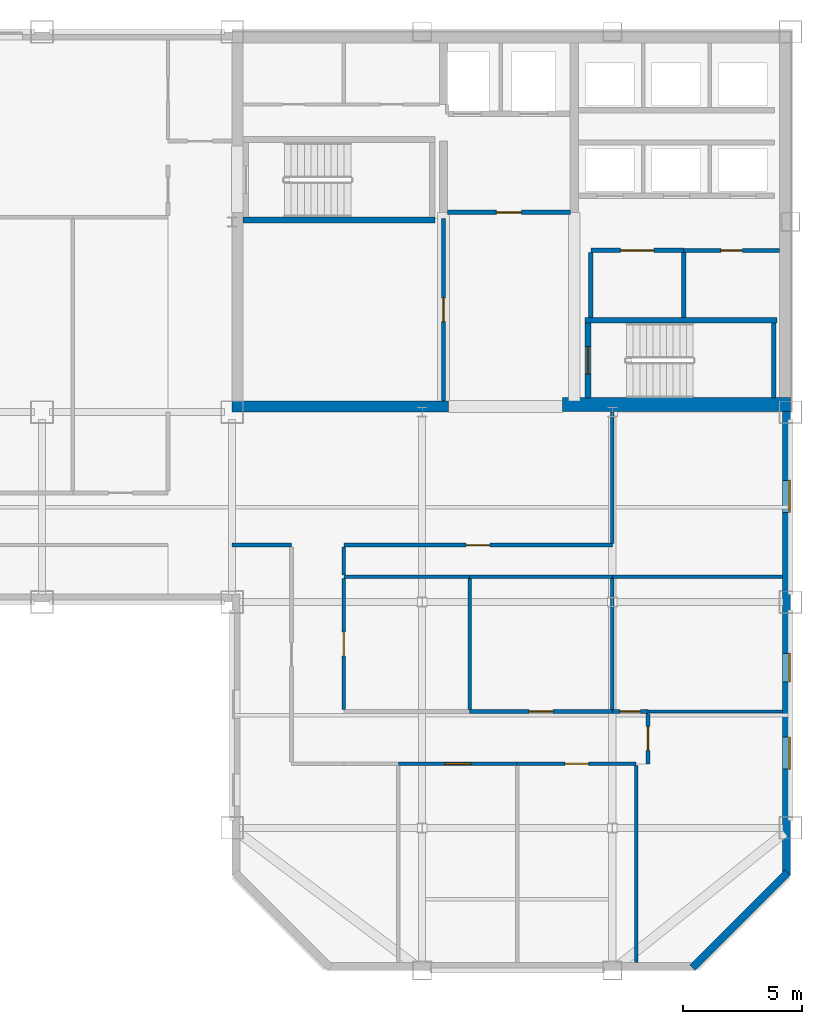
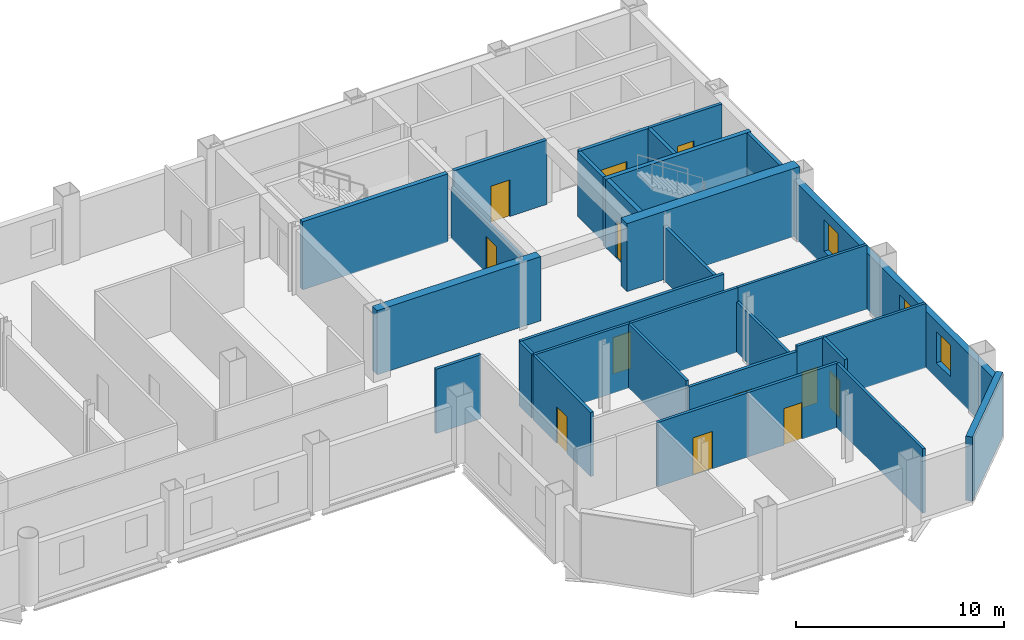
# One storey, part 5 of 11: 31 walls, 12 doors, 3 windows, 15 openings.
"""IFC4 building model written with IfcOpenShell, lengths in metres."""

from ifc_helpers import new_model, si_unit, direction, frame, frame_2d, origin, place, context, subcontext, project, spatial, rectangle, extrude, material, layer, layer_set, type_object, element, fill, save


model = new_model("IFC4")

# Units and contexts
model_context = context("Model", 3, precision=1e-05, world=origin(), true_north=direction((0.0, 1.0)))
body_context = subcontext(model_context, "Body", "Model", "MODEL_VIEW")
ifc_project = project(units=[si_unit("LENGTHUNIT", "METRE"), si_unit("AREAUNIT", "SQUARE_METRE"), si_unit("VOLUMEUNIT", "CUBIC_METRE"), si_unit("PLANEANGLEUNIT", "RADIAN"), si_unit("MASSUNIT", "GRAM", prefix="KILO")], contexts=[model_context])

# Site, building, storey
site_placement = place(None, origin())
site = spatial("IfcSite", under=ifc_project, at=site_placement, CompositionType="ELEMENT")
building_placement = place(site_placement, origin())
building = spatial("IfcBuilding", under=site, at=building_placement, Name="Qianrong Seaharbour Tower", CompositionType="ELEMENT")
storey_placement = place(building_placement, frame((0.0, 0.0, 265.800048828125)))
storey = spatial("IfcBuildingStorey", under=building, at=storey_placement, Name="L64", CompositionType="ELEMENT", Elevation=265.800048828125)

# Walls
ifc_material_1 = material(Name="Concrete C60/75", Category="concrete")
ifc_layer_1 = layer(ifc_material_1, 0.4599609375)
ifc_layer_set_1 = layer_set([ifc_layer_1], Name="Concrete C60/75")
wall_type_1 = type_object("IfcWallType", Name="WALL-CORE-460", PredefinedType="SHEAR", material=ifc_layer_set_1)
wall_1_placement = place(storey_placement, frame((40.5, 36.22998046875, 0.0), z_axis=(0.0, 0.0, 1.0), x_axis=(1.0, 0.0, 0.0)))
element("IfcWall", 1, at=wall_1_placement, inside=storey, type_object=wall_type_1, Name="L64 South Core Shear Wall S1", PredefinedType="SHEAR", context=body_context, shape_type="SweptSolid", body=[
    extrude(rectangle(XDim=9.10009765625, YDim=0.4599609375, at=frame_2d((4.550048828125, 0.0))), origin(), (0.0, 0.0, 1.0), 3.77490234375),
])
ifc_material_2 = material(Name="Concrete C70/85", Category="concrete")
ifc_layer_2 = layer(ifc_material_2, 0.580078125)
ifc_layer_set_2 = layer_set([ifc_layer_2], Name="Concrete C70/85")
wall_type_2 = type_object("IfcWallType", Name="WALL-CORE-580", PredefinedType="SHEAR", material=ifc_layer_set_2)
wall_2_placement = place(storey_placement, frame((54.39990234375, 36.320068359375, 0.0), z_axis=(0.0, 0.0, 1.0), x_axis=(1.0, 0.0, 0.0)))
element("IfcWall", 2, at=wall_2_placement, inside=storey, type_object=wall_type_2, Name="L64 South Core Shear Wall S3", PredefinedType="SHEAR", context=body_context, shape_type="SweptSolid", body=[
    extrude(rectangle(XDim=9.60009765625, YDim=0.580078125, at=frame_2d((4.800048828125, 0.0))), origin(), (0.0, 0.0, 1.0), 4.0),
])

# Wall, opening, door
ifc_material_3 = material(Name="Fire-rated acoustic gypsum board partition")
ifc_layer_3 = layer(ifc_material_3, 0.1650390625)
ifc_layer_set_3 = layer_set([ifc_layer_3], Name="Fire-rated acoustic gypsum board partition")
wall_type_3 = type_object("IfcWallType", Name="WALL-CORR-PART-165", PredefinedType="PARTITIONING", material=ifc_layer_set_3)
wall_3_placement = place(storey_placement, frame((49.39990234375, 36.4599609375, 0.0), z_axis=(0.0, 0.0, 1.0), x_axis=(0.0, 1.0, 0.0)))
wall_3 = element("IfcWall", 3, at=wall_3_placement, inside=storey, type_object=wall_type_3, Name="L64 Interior Partition Wall 007", PredefinedType="PARTITIONING", context=body_context, shape_type="SweptSolid", body=[
    extrude(rectangle(XDim=7.68994140625, YDim=0.1650390625, at=frame_2d((3.844970703125, 0.0))), origin(), (0.0, 0.0, 1.0), 3.016845703125),
])
opening_1_placement = place(wall_3_placement, frame((3.344970703125, 0.0, 0.0)))
opening_1 = element("IfcOpeningElement", 4, at=opening_1_placement, cuts=wall_3, Name="Opening DO-01", PredefinedType="OPENING", context=body_context, shape_type="SweptSolid", body=[
    extrude(rectangle(XDim=1.0, YDim=2.14990234375, at=frame_2d((0.5, 1.074951171875))), frame((0.0, 0.092529296875, 0.0), z_axis=(0.0, -1.0, 0.0), x_axis=(1.0, 0.0, 0.0)), (0.0, 0.0, 1.0), 0.18505859375),
])
ifc_material_4 = material(Name="Acoustic timber and galvanized steel fire door assembly", Category="steel")
door_type_1 = type_object("IfcDoorType", Name="DOOR-OFFICE-1000x2150", OperationType="NOTDEFINED", PredefinedType="DOOR", material=ifc_material_4)
door_1_placement = place(opening_1_placement, origin())
door_1 = element("IfcDoor", 5, at=door_1_placement, inside=storey, type_object=door_type_1, Name="L64 Data Systems Office Door", OperationType="SINGLE_SWING_RIGHT", OverallHeight=2.14990234375, OverallWidth=1.0, PredefinedType="DOOR", context=body_context, shape_type="SweptSolid", body=[
    extrude(rectangle(XDim=1.0, YDim=2.14990234375, at=frame_2d((0.5, 1.074951171875))), frame((0.0, 0.02490234375, 0.0), z_axis=(0.0, -1.0, 0.0), x_axis=(1.0, 0.0, 0.0)), (0.0, 0.0, 1.0), 0.050048828125),
])
fill(opening_1, door_1)

wall_4_placement = place(storey_placement, frame((63.5400390625, 42.800048828125, 0.0), z_axis=(0.0, 0.0, 1.0), x_axis=(-1.0, 0.0, 0.0)))
wall_4 = element("IfcWall", 6, at=wall_4_placement, inside=storey, type_object=wall_type_3, Name="L64 Interior Partition Wall 010", PredefinedType="PARTITIONING", context=body_context, shape_type="SweptSolid", body=[
    extrude(rectangle(XDim=4.0400390625, YDim=0.1650390625, at=frame_2d((2.02001953125, 0.0))), origin(), (0.0, 0.0, 1.0), 3.77490234375),
])
opening_2_placement = place(wall_4_placement, frame((1.570068359375, 0.0, 0.0)))
opening_2 = element("IfcOpeningElement", 7, at=opening_2_placement, cuts=wall_4, Name="Opening DS-01", PredefinedType="OPENING", context=body_context, shape_type="SweptSolid", body=[
    extrude(rectangle(XDim=0.89990234375, YDim=2.14990234375, at=frame_2d((0.449951171875, 1.074951171875))), frame((0.0, 0.092529296875, 0.0), z_axis=(0.0, -1.0, 0.0), x_axis=(1.0, 0.0, 0.0)), (0.0, 0.0, 1.0), 0.18505859375),
])
door_type_2 = type_object("IfcDoorType", Name="DOOR-STORE-900x2150", OperationType="NOTDEFINED", PredefinedType="DOOR", material=ifc_material_4)
door_2_placement = place(opening_2_placement, origin())
door_2 = element("IfcDoor", 8, at=door_2_placement, inside=storey, type_object=door_type_2, Name="L64 Cleaner Store Room Door", OperationType="SINGLE_SWING_LEFT", OverallHeight=2.14990234375, OverallWidth=0.89990234375, PredefinedType="DOOR", context=body_context, shape_type="SweptSolid", body=[
    extrude(rectangle(XDim=0.89990234375, YDim=2.14990234375, at=frame_2d((0.449951171875, 1.074951171875))), frame((0.0, 0.02490234375, 0.0), z_axis=(0.0, -1.0, 0.0), x_axis=(1.0, 0.0, 0.0)), (0.0, 0.0, 1.0), 0.050048828125),
])
fill(opening_2, door_2)

# Wall
wall_5_placement = place(storey_placement, frame((56.5, 36.0, 0.0), z_axis=(0.0, 0.0, 1.0), x_axis=(0.0, -1.0, 0.0)))
element("IfcWall", 9, at=wall_5_placement, inside=storey, type_object=wall_type_3, Name="L64 Interior Partition Wall 024", PredefinedType="PARTITIONING", context=body_context, shape_type="SweptSolid", body=[
    extrude(rectangle(XDim=5.525390625, YDim=0.1650390625, at=frame_2d((2.7626953125, 0.0))), origin(), (0.0, 0.0, 1.0), 3.178955078125),
])

# Wall, opening, door
wall_6_placement = place(storey_placement, frame((56.5, 30.39990234375, 0.0), z_axis=(0.0, 0.0, 1.0), x_axis=(-1.0, 0.0, 0.0)))
wall_6 = element("IfcWall", 10, at=wall_6_placement, inside=storey, type_object=wall_type_3, Name="L64 Interior Partition Wall 025", PredefinedType="PARTITIONING", context=body_context, shape_type="SweptSolid", body=[
    extrude(rectangle(XDim=11.300048828125, YDim=0.1650390625, at=frame_2d((5.64990234375, 0.0))), origin(), (0.0, 0.0, 1.0), 3.77490234375),
])
opening_3_placement = place(wall_6_placement, frame((5.14990234375, 0.0, 0.0)))
opening_3 = element("IfcOpeningElement", 11, at=opening_3_placement, cuts=wall_6, Name="Opening DO-01", PredefinedType="OPENING", context=body_context, shape_type="SweptSolid", body=[
    extrude(rectangle(XDim=1.0, YDim=2.14990234375, at=frame_2d((0.5, 1.074951171875))), frame((0.0, 0.092529296875, 0.0), z_axis=(0.0, -1.0, 0.0), x_axis=(1.0, 0.0, 0.0)), (0.0, 0.0, 1.0), 0.18505859375),
])
door_3_placement = place(opening_3_placement, origin())
door_3 = element("IfcDoor", 12, at=door_3_placement, inside=storey, type_object=door_type_1, Name="L64 Commercial Desk Open-Plan Office Door", OperationType="SINGLE_SWING_RIGHT", OverallHeight=2.14990234375, OverallWidth=1.0, PredefinedType="DOOR", context=body_context, shape_type="SweptSolid", body=[
    extrude(rectangle(XDim=1.0, YDim=2.14990234375, at=frame_2d((0.5, 1.074951171875))), frame((0.0, 0.02490234375, 0.0), z_axis=(0.0, -1.0, 0.0), x_axis=(1.0, 0.0, 0.0)), (0.0, 0.0, 1.0), 0.050048828125),
])
fill(opening_3, door_3)

# Walls
wall_7_placement = place(storey_placement, frame((43.0, 30.39990234375, 0.0), z_axis=(0.0, 0.0, 1.0), x_axis=(-1.0, 0.0, 0.0)))
element("IfcWall", 13, at=wall_7_placement, inside=storey, type_object=wall_type_3, Name="L64 Interior Partition Wall 027", PredefinedType="PARTITIONING", context=body_context, shape_type="SweptSolid", body=[
    extrude(rectangle(XDim=2.5, YDim=0.1650390625, at=frame_2d((1.25, 0.0))), origin(), (0.0, 0.0, 1.0), 3.77490234375),
])
wall_8_placement = place(storey_placement, frame((45.199951171875, 30.325439453125, 0.0), z_axis=(0.0, 0.0, 1.0), x_axis=(0.0, -1.0, 0.0)))
element("IfcWall", 14, at=wall_8_placement, inside=storey, type_object=wall_type_3, Name="L64 Interior Partition Wall 028", PredefinedType="PARTITIONING", context=body_context, shape_type="SweptSolid", body=[
    extrude(rectangle(XDim=1.19091796875, YDim=0.1650390625, at=frame_2d((0.595458984375, 0.0))), origin(), (0.0, 0.0, 1.0), 3.77490234375),
])

# Wall, opening, door
wall_9_placement = place(storey_placement, frame((45.199951171875, 29.005615234375, 0.0), z_axis=(0.0, 0.0, 1.0), x_axis=(0.0, -1.0, 0.0)))
wall_9 = element("IfcWall", 15, at=wall_9_placement, inside=storey, type_object=wall_type_3, Name="L64 Interior Partition Wall 029", PredefinedType="PARTITIONING", context=body_context, shape_type="SweptSolid", body=[
    extrude(rectangle(XDim=5.531005859375, YDim=0.1650390625, at=frame_2d((2.765625, 0.0))), origin(), (0.0, 0.0, 1.0), 3.77490234375),
])
opening_4_placement = place(wall_9_placement, frame((2.265380859375, 0.0, 0.0)))
opening_4 = element("IfcOpeningElement", 16, at=opening_4_placement, cuts=wall_9, Name="Opening DO-01", PredefinedType="OPENING", context=body_context, shape_type="SweptSolid", body=[
    extrude(rectangle(XDim=1.0, YDim=2.14990234375, at=frame_2d((0.5, 1.074951171875))), frame((0.0, 0.092529296875, 0.0), z_axis=(0.0, -1.0, 0.0), x_axis=(1.0, 0.0, 0.0)), (0.0, 0.0, 1.0), 0.18505859375),
])
door_4_placement = place(opening_4_placement, origin())
door_4 = element("IfcDoor", 17, at=door_4_placement, inside=storey, type_object=door_type_1, Name="L64 Chartering Model Showroom 1 Door", OperationType="SINGLE_SWING_LEFT", OverallHeight=2.14990234375, OverallWidth=1.0, PredefinedType="DOOR", context=body_context, shape_type="SweptSolid", body=[
    extrude(rectangle(XDim=1.0, YDim=2.14990234375, at=frame_2d((0.5, 1.074951171875))), frame((0.0, 0.02490234375, 0.0), z_axis=(0.0, -1.0, 0.0), x_axis=(1.0, 0.0, 0.0)), (0.0, 0.0, 1.0), 0.050048828125),
])
fill(opening_4, door_4)

wall_10_placement = place(storey_placement, frame((50.5, 23.39990234375, 0.0), z_axis=(0.0, 0.0, 1.0), x_axis=(1.0, 0.0, 0.0)))
wall_10 = element("IfcWall", 18, at=wall_10_placement, inside=storey, type_object=wall_type_3, Name="L64 Interior Partition Wall 033", PredefinedType="PARTITIONING", context=body_context, shape_type="SweptSolid", body=[
    extrude(rectangle(XDim=6.0, YDim=0.1650390625, at=frame_2d((3.0, 0.0))), origin(), (0.0, 0.0, 1.0), 3.467041015625),
])
opening_5_placement = place(wall_10_placement, frame((2.5, 0.0, 0.0)))
opening_5 = element("IfcOpeningElement", 19, at=opening_5_placement, cuts=wall_10, Name="Opening DO-01", PredefinedType="OPENING", context=body_context, shape_type="SweptSolid", body=[
    extrude(rectangle(XDim=1.0, YDim=2.14990234375, at=frame_2d((0.5, 1.074951171875))), frame((0.0, 0.092529296875, 0.0), z_axis=(0.0, -1.0, 0.0), x_axis=(1.0, 0.0, 0.0)), (0.0, 0.0, 1.0), 0.18505859375),
])
door_5_placement = place(opening_5_placement, origin())
door_5 = element("IfcDoor", 20, at=door_5_placement, inside=storey, type_object=door_type_1, Name="L64 Port Equipment Showroom 2 Door", OperationType="SINGLE_SWING_RIGHT", OverallHeight=2.14990234375, OverallWidth=1.0, PredefinedType="DOOR", context=body_context, shape_type="SweptSolid", body=[
    extrude(rectangle(XDim=1.0, YDim=2.14990234375, at=frame_2d((0.5, 1.074951171875))), frame((0.0, 0.02490234375, 0.0), z_axis=(0.0, -1.0, 0.0), x_axis=(1.0, 0.0, 0.0)), (0.0, 0.0, 1.0), 0.050048828125),
])
fill(opening_5, door_5)

wall_11_placement = place(storey_placement, frame((56.5, 23.39990234375, 0.0), z_axis=(0.0, 0.0, 1.0), x_axis=(1.0, 0.0, 0.0)))
wall_11 = element("IfcWall", 21, at=wall_11_placement, inside=storey, type_object=wall_type_3, Name="L64 Interior Partition Wall 034", PredefinedType="PARTITIONING", context=body_context, shape_type="SweptSolid", body=[
    extrude(rectangle(XDim=1.5, YDim=0.1650390625, at=frame_2d((0.75, 0.0))), origin(), (0.0, 0.0, 1.0), 3.77490234375),
])
opening_6_placement = place(wall_11_placement, frame((0.320068359375, 0.0, 0.0)))
opening_6 = element("IfcOpeningElement", 22, at=opening_6_placement, cuts=wall_11, Name="Opening DU-01", PredefinedType="OPENING", context=body_context, shape_type="SweptSolid", body=[
    extrude(rectangle(XDim=0.860107421875, YDim=2.10009765625, at=frame_2d((0.43017578125, 1.050048828125))), frame((0.0, 0.092529296875, 0.0), z_axis=(0.0, -1.0, 0.0), x_axis=(1.0, 0.0, 0.0)), (0.0, 0.0, 1.0), 0.18505859375),
])
door_type_3 = type_object("IfcDoorType", Name="DOOR-UTIL-860x2100", OperationType="NOTDEFINED", PredefinedType="DOOR", material=ifc_material_4)
door_6_placement = place(opening_6_placement, origin())
door_6 = element("IfcDoor", 23, at=door_6_placement, inside=storey, type_object=door_type_3, Name="L64 Trade Meeting Room 3 Door", OperationType="SINGLE_SWING_LEFT", OverallHeight=2.10009765625, OverallWidth=0.860107421875, PredefinedType="DOOR", context=body_context, shape_type="SweptSolid", body=[
    extrude(rectangle(XDim=0.860107421875, YDim=2.10009765625, at=frame_2d((0.43017578125, 1.050048828125))), frame((0.0, 0.02490234375, 0.0), z_axis=(0.0, -1.0, 0.0), x_axis=(1.0, 0.0, 0.0)), (0.0, 0.0, 1.0), 0.050048828125),
])
fill(opening_6, door_6)

wall_12_placement = place(storey_placement, frame((52.5, 21.199951171875, 0.0), z_axis=(0.0, 0.0, 1.0), x_axis=(-1.0, 0.0, 0.0)))
wall_12 = element("IfcWall", 24, at=wall_12_placement, inside=storey, type_object=wall_type_3, Name="L64 Interior Partition Wall 036", PredefinedType="PARTITIONING", context=body_context, shape_type="SweptSolid", body=[
    extrude(rectangle(XDim=5.0, YDim=0.1650390625, at=frame_2d((2.5, 0.0))), origin(), (0.0, 0.0, 1.0), 3.77490234375),
])
opening_7_placement = place(wall_12_placement, frame((1.949951171875, 0.0, 0.0)))
opening_7 = element("IfcOpeningElement", 25, at=opening_7_placement, cuts=wall_12, Name="Opening DM-01", PredefinedType="OPENING", context=body_context, shape_type="SweptSolid", body=[
    extrude(rectangle(XDim=1.10009765625, YDim=2.199951171875, at=frame_2d((0.550048828125, 1.10009765625))), frame((0.0, 0.092529296875, 0.0), z_axis=(0.0, -1.0, 0.0), x_axis=(1.0, 0.0, 0.0)), (0.0, 0.0, 1.0), 0.18505859375),
])
door_type_4 = type_object("IfcDoorType", Name="DOOR-MEET-1100x2200", OperationType="NOTDEFINED", PredefinedType="DOOR", material=ifc_material_4)
door_7_placement = place(opening_7_placement, origin())
door_7 = element("IfcDoor", 26, at=door_7_placement, inside=storey, type_object=door_type_4, Name="L64 Contract Signing Room 2 Door", OperationType="SINGLE_SWING_RIGHT", OverallHeight=2.199951171875, OverallWidth=1.10009765625, PredefinedType="DOOR", context=body_context, shape_type="SweptSolid", body=[
    extrude(rectangle(XDim=1.10009765625, YDim=2.199951171875, at=frame_2d((0.550048828125, 1.10009765625))), frame((0.0, 0.02490234375, 0.0), z_axis=(0.0, -1.0, 0.0), x_axis=(1.0, 0.0, 0.0)), (0.0, 0.0, 1.0), 0.050048828125),
])
fill(opening_7, door_7)

wall_13_placement = place(storey_placement, frame((57.5, 21.199951171875, 0.0), z_axis=(0.0, 0.0, 1.0), x_axis=(-1.0, 0.0, 0.0)))
wall_13 = element("IfcWall", 27, at=wall_13_placement, inside=storey, type_object=wall_type_3, Name="L64 Interior Partition Wall 037", PredefinedType="PARTITIONING", context=body_context, shape_type="SweptSolid", body=[
    extrude(rectangle(XDim=5.0, YDim=0.1650390625, at=frame_2d((2.5, 0.0))), origin(), (0.0, 0.0, 1.0), 3.77490234375),
])
opening_8_placement = place(wall_13_placement, frame((2.0, 0.0, 0.0)))
opening_8 = element("IfcOpeningElement", 28, at=opening_8_placement, cuts=wall_13, Name="Opening DO-01", PredefinedType="OPENING", context=body_context, shape_type="SweptSolid", body=[
    extrude(rectangle(XDim=1.0, YDim=2.14990234375, at=frame_2d((0.5, 1.074951171875))), frame((0.0, 0.092529296875, 0.0), z_axis=(0.0, -1.0, 0.0), x_axis=(1.0, 0.0, 0.0)), (0.0, 0.0, 1.0), 0.18505859375),
])
door_8_placement = place(opening_8_placement, origin())
door_8 = element("IfcDoor", 29, at=door_8_placement, inside=storey, type_object=door_type_1, Name="L64 Marine Showcase Showroom 3 Door", OperationType="SINGLE_SWING_LEFT", OverallHeight=2.14990234375, OverallWidth=1.0, PredefinedType="DOOR", context=body_context, shape_type="SweptSolid", body=[
    extrude(rectangle(XDim=1.0, YDim=2.14990234375, at=frame_2d((0.5, 1.074951171875))), frame((0.0, 0.02490234375, 0.0), z_axis=(0.0, -1.0, 0.0), x_axis=(1.0, 0.0, 0.0)), (0.0, 0.0, 1.0), 0.050048828125),
])
fill(opening_8, door_8)

wall_14_placement = place(storey_placement, frame((58.0, 23.325439453125, 0.0), z_axis=(0.0, 0.0, 1.0), x_axis=(0.0, -1.0, 0.0)))
wall_14 = element("IfcWall", 30, at=wall_14_placement, inside=storey, type_object=wall_type_3, Name="L64 Interior Partition Wall 038", PredefinedType="PARTITIONING", context=body_context, shape_type="SweptSolid", body=[
    extrude(rectangle(XDim=2.12548828125, YDim=0.1650390625, at=frame_2d((1.062744140625, 0.0))), origin(), (0.0, 0.0, 1.0), 3.77490234375),
])
opening_9_placement = place(wall_14_placement, frame((0.562744140625, 0.0, 0.0)))
opening_9 = element("IfcOpeningElement", 31, at=opening_9_placement, cuts=wall_14, Name="Opening DO-01", PredefinedType="OPENING", context=body_context, shape_type="SweptSolid", body=[
    extrude(rectangle(XDim=1.0, YDim=2.14990234375, at=frame_2d((0.5, 1.074951171875))), frame((0.0, 0.092529296875, 0.0), z_axis=(0.0, -1.0, 0.0), x_axis=(1.0, 0.0, 0.0)), (0.0, 0.0, 1.0), 0.18505859375),
])
door_9_placement = place(opening_9_placement, origin())
door_9 = element("IfcDoor", 32, at=door_9_placement, inside=storey, type_object=door_type_1, Name="L64 Brokerage Office 4 Door", OperationType="SINGLE_SWING_RIGHT", OverallHeight=2.14990234375, OverallWidth=1.0, PredefinedType="DOOR", context=body_context, shape_type="SweptSolid", body=[
    extrude(rectangle(XDim=1.0, YDim=2.14990234375, at=frame_2d((0.5, 1.074951171875))), frame((0.0, 0.02490234375, 0.0), z_axis=(0.0, -1.0, 0.0), x_axis=(1.0, 0.0, 0.0)), (0.0, 0.0, 1.0), 0.050048828125),
])
fill(opening_9, door_9)

# Wall, openings, windows
ifc_material_5 = material(Name="Unitised buff brick on Precast concrete C45/55", Category="masonry")
ifc_layer_4 = layer(ifc_material_5, 0.340087890625)
ifc_layer_set_4 = layer_set([ifc_layer_4], Name="Unitised buff brick on Precast concrete C45/55")
wall_type_4 = type_object("IfcWallType", Name="WALL-EXT-BRICK-BUFF-340", PredefinedType="SOLIDWALL", material=ifc_layer_set_4)
wall_15_placement = place(storey_placement, frame((63.830078125, 36.050048828125, 0.0), z_axis=(0.0, 0.0, 1.0), x_axis=(0.0, -1.0, 0.0)))
wall_15 = element("IfcWall", 33, at=wall_15_placement, inside=storey, type_object=wall_type_4, Name="L64 Exterior Masonry Facade Wall EAST_WING", PredefinedType="SOLIDWALL", context=body_context, shape_type="SweptSolid", body=[
    extrude(rectangle(XDim=19.550048828125, YDim=0.340087890625, at=frame_2d((9.77490234375, 0.0))), origin(), (0.0, 0.0, 1.0), 3.324951171875),
])
opening_10_placement = place(wall_15_placement, frame((2.925048828125, 0.0, 0.89990234375)))
opening_10 = element("IfcOpeningElement", 34, at=opening_10_placement, cuts=wall_15, Name="Opening WN-02", PredefinedType="OPENING", context=body_context, shape_type="SweptSolid", body=[
    extrude(rectangle(XDim=1.35009765625, YDim=1.85009765625, at=frame_2d((0.675048828125, 0.925048828125))), frame((0.0, 0.18017578125, 0.0), z_axis=(0.0, -1.0, 0.0), x_axis=(1.0, 0.0, 0.0)), (0.0, 0.0, 1.0), 0.360107421875),
])
opening_11_placement = place(wall_15_placement, frame((10.199951171875, 0.0, 0.89990234375)))
opening_11 = element("IfcOpeningElement", 35, at=opening_11_placement, cuts=wall_15, Name="Opening WN-01", PredefinedType="OPENING", context=body_context, shape_type="SweptSolid", body=[
    extrude(rectangle(XDim=1.199951171875, YDim=1.85009765625, at=frame_2d((0.60009765625, 0.925048828125))), frame((0.0, 0.18017578125, 0.0), z_axis=(0.0, -1.0, 0.0), x_axis=(1.0, 0.0, 0.0)), (0.0, 0.0, 1.0), 0.360107421875),
])
opening_12_placement = place(wall_15_placement, frame((13.72509765625, 0.0, 0.89990234375)))
opening_12 = element("IfcOpeningElement", 36, at=opening_12_placement, cuts=wall_15, Name="Opening WN-02", PredefinedType="OPENING", context=body_context, shape_type="SweptSolid", body=[
    extrude(rectangle(XDim=1.35009765625, YDim=1.85009765625, at=frame_2d((0.675048828125, 0.925048828125))), frame((0.0, 0.18017578125, 0.0), z_axis=(0.0, -1.0, 0.0), x_axis=(1.0, 0.0, 0.0)), (0.0, 0.0, 1.0), 0.360107421875),
])
ifc_material_6 = material(Name="Insulated low-e double glazing in thermally broken aluminium 6063-T6 frame", Category="aluminium")
window_type_1 = type_object("IfcWindowType", Name="WIN-PUNCH-1200x1850", PartitioningType="DOUBLE_PANEL_VERTICAL", PredefinedType="WINDOW", material=ifc_material_6)
window_1_placement = place(opening_11_placement, origin())
window_1 = element("IfcWindow", 37, at=window_1_placement, inside=storey, type_object=window_type_1, Name="L64 Deep-Set Punched Window 06.03", OverallHeight=1.85009765625, OverallWidth=1.199951171875, PartitioningType="DOUBLE_PANEL_VERTICAL", PredefinedType="WINDOW", context=body_context, shape_type="SweptSolid", body=[
    extrude(rectangle(XDim=1.199951171875, YDim=1.85009765625, at=frame_2d((0.60009765625, 0.925048828125))), frame((0.0, 0.150146484375, 0.0), z_axis=(0.0, -1.0, 0.0), x_axis=(1.0, 0.0, 0.0)), (0.0, 0.0, 1.0), 0.06005859375),
])
fill(opening_11, window_1)
window_type_2 = type_object("IfcWindowType", Name="WIN-PUNCH-1350x1850", PartitioningType="DOUBLE_PANEL_VERTICAL", PredefinedType="WINDOW", material=ifc_material_6)
window_2_placement = place(opening_10_placement, origin())
window_2 = element("IfcWindow", 38, at=window_2_placement, inside=storey, type_object=window_type_2, Name="L64 Deep-Set Punched Window 06.01", OverallHeight=1.85009765625, OverallWidth=1.35009765625, PartitioningType="DOUBLE_PANEL_VERTICAL", PredefinedType="WINDOW", context=body_context, shape_type="SweptSolid", body=[
    extrude(rectangle(XDim=1.35009765625, YDim=1.85009765625, at=frame_2d((0.675048828125, 0.925048828125))), frame((0.0, 0.150146484375, 0.0), z_axis=(0.0, -1.0, 0.0), x_axis=(1.0, 0.0, 0.0)), (0.0, 0.0, 1.0), 0.06005859375),
])
fill(opening_10, window_2)
window_3_placement = place(opening_12_placement, origin())
window_3 = element("IfcWindow", 39, at=window_3_placement, inside=storey, type_object=window_type_2, Name="L64 Deep-Set Punched Window 06.04", OverallHeight=1.85009765625, OverallWidth=1.35009765625, PartitioningType="DOUBLE_PANEL_VERTICAL", PredefinedType="WINDOW", context=body_context, shape_type="SweptSolid", body=[
    extrude(rectangle(XDim=1.35009765625, YDim=1.85009765625, at=frame_2d((0.675048828125, 0.925048828125))), frame((0.0, 0.150146484375, 0.0), z_axis=(0.0, -1.0, 0.0), x_axis=(1.0, 0.0, 0.0)), (0.0, 0.0, 1.0), 0.06005859375),
])
fill(opening_12, window_3)

# Wall
wall_16_placement = place(storey_placement, frame((63.8798828125, 16.6201171875, 0.0), z_axis=(0.0, 0.0, 1.0), x_axis=(-0.707106781187, -0.707106781187, 0.0)))
element("IfcWall", 40, at=wall_16_placement, inside=storey, type_object=wall_type_4, Name="L64 Exterior Masonry Facade Wall E07", PredefinedType="SOLIDWALL", context=body_context, shape_type="SweptSolid", body=[
    extrude(rectangle(XDim=5.65673828125, YDim=0.340087890625, at=frame_2d((2.828369140625, 0.0))), origin(), (0.0, 0.0, 1.0), 3.77490234375),
])

# Wall, opening, door
ifc_material_7 = material(Name="Double fire-rated gypsum board acoustic partition")
ifc_layer_5 = layer(ifc_material_7, 0.18994140625)
ifc_layer_set_5 = layer_set([ifc_layer_5], Name="Double fire-rated gypsum board acoustic partition")
wall_type_5 = type_object("IfcWallType", Name="WALL-FIRE-PART-190", PredefinedType="PARTITIONING", material=ifc_layer_set_5)
wall_17_placement = place(storey_placement, frame((54.73291015625, 44.39990234375, 0.0), z_axis=(0.0, 0.0, 1.0), x_axis=(-1.0, 0.0, 0.0)))
wall_17 = element("IfcWall", 41, at=wall_17_placement, inside=storey, type_object=wall_type_5, Name="L64 Interior Partition Wall 006", PredefinedType="PARTITIONING", context=body_context, shape_type="SweptSolid", body=[
    extrude(rectangle(XDim=5.166015625, YDim=0.18994140625, at=frame_2d((2.5830078125, 0.0))), origin(), (0.0, 0.0, 1.0), 3.77490234375),
])
opening_13_placement = place(wall_17_placement, frame((2.05810546875, 0.0, 0.0)))
opening_13 = element("IfcOpeningElement", 42, at=opening_13_placement, cuts=wall_17, Name="Opening DC-01", PredefinedType="OPENING", context=body_context, shape_type="SweptSolid", body=[
    extrude(rectangle(XDim=1.050048828125, YDim=2.14990234375, at=frame_2d((0.52490234375, 1.074951171875))), frame((0.0, 0.10498046875, 0.0), z_axis=(0.0, -1.0, 0.0), x_axis=(1.0, 0.0, 0.0)), (0.0, 0.0, 1.0), 0.2099609375),
])
door_type_5 = type_object("IfcDoorType", Name="DOOR-CORR-FD60-1050x2150", OperationType="NOTDEFINED", PredefinedType="DOOR", material=ifc_material_4)
door_10_placement = place(opening_13_placement, origin())
door_10 = element("IfcDoor", 43, at=door_10_placement, inside=storey, type_object=door_type_5, Name="L64 Firefighting Lift Lobby Door", OperationType="SINGLE_SWING_LEFT", OverallHeight=2.14990234375, OverallWidth=1.050048828125, PredefinedType="DOOR", context=body_context, shape_type="SweptSolid", body=[
    extrude(rectangle(XDim=1.050048828125, YDim=2.14990234375, at=frame_2d((0.52490234375, 1.074951171875))), frame((0.0, 0.02490234375, 0.0), z_axis=(0.0, -1.0, 0.0), x_axis=(1.0, 0.0, 0.0)), (0.0, 0.0, 1.0), 0.050048828125),
])
fill(opening_13, door_10)

# Wall
wall_18_placement = place(storey_placement, frame((55.60009765625, 42.712890625, 0.0), z_axis=(0.0, 0.0, 1.0), x_axis=(0.0, -1.0, 0.0)))
element("IfcWall", 44, at=wall_18_placement, inside=storey, type_object=wall_type_5, Name="L64 Interior Partition Wall 008", PredefinedType="PARTITIONING", context=body_context, shape_type="SweptSolid", body=[
    extrude(rectangle(XDim=2.73095703125, YDim=0.18994140625, at=frame_2d((1.365478515625, 0.0))), origin(), (0.0, 0.0, 1.0), 3.77490234375),
])

# Wall, opening, door
wall_19_placement = place(storey_placement, frame((59.5, 42.800048828125, 0.0), z_axis=(0.0, 0.0, 1.0), x_axis=(-1.0, 0.0, 0.0)))
wall_19 = element("IfcWall", 45, at=wall_19_placement, inside=storey, type_object=wall_type_5, Name="L64 Interior Partition Wall 009", PredefinedType="PARTITIONING", context=body_context, shape_type="SweptSolid", body=[
    extrude(rectangle(XDim=3.89990234375, YDim=0.18994140625, at=frame_2d((1.949951171875, 0.0))), origin(), (0.0, 0.0, 1.0), 3.77490234375),
])
opening_14_placement = place(wall_19_placement, frame((1.25, 0.0, 0.0)))
opening_14 = element("IfcOpeningElement", 46, at=opening_14_placement, cuts=wall_19, Name="Opening DP-01", PredefinedType="OPENING", context=body_context, shape_type="SweptSolid", body=[
    extrude(rectangle(XDim=1.39990234375, YDim=2.25, at=frame_2d((0.699951171875, 1.125))), frame((0.0, 0.10498046875, 0.0), z_axis=(0.0, -1.0, 0.0), x_axis=(1.0, 0.0, 0.0)), (0.0, 0.0, 1.0), 0.2099609375),
])
door_type_6 = type_object("IfcDoorType", Name="DOOR-PLANT-PAIR-1400x2250", OperationType="DOUBLE_DOOR_SINGLE_SWING", PredefinedType="DOOR", material=ifc_material_4)
door_11_placement = place(opening_14_placement, origin())
door_11 = element("IfcDoor", 47, at=door_11_placement, inside=storey, type_object=door_type_6, Name="L64 Electrical Substation Door", OperationType="DOUBLE_DOOR_SINGLE_SWING", OverallHeight=2.25, OverallWidth=1.39990234375, PredefinedType="DOOR", context=body_context, shape_type="SweptSolid", body=[
    extrude(rectangle(XDim=1.39990234375, YDim=2.25, at=frame_2d((0.699951171875, 1.125))), frame((0.0, 0.02490234375, 0.0), z_axis=(0.0, -1.0, 0.0), x_axis=(1.0, 0.0, 0.0)), (0.0, 0.0, 1.0), 0.050048828125),
])
fill(opening_14, door_11)

# Walls
wall_20_placement = place(storey_placement, frame((59.5, 42.712890625, 0.0), z_axis=(0.0, 0.0, 1.0), x_axis=(0.0, -1.0, 0.0)))
element("IfcWall", 48, at=wall_20_placement, inside=storey, type_object=wall_type_5, Name="L64 Interior Partition Wall 012", PredefinedType="PARTITIONING", context=body_context, shape_type="SweptSolid", body=[
    extrude(rectangle(XDim=2.73095703125, YDim=0.18994140625, at=frame_2d((1.365478515625, 0.0))), origin(), (0.0, 0.0, 1.0), 3.77490234375),
])
ifc_material_8 = material(Name="Acoustic gypsum board stud partition")
ifc_layer_6 = layer(ifc_material_8, 0.14501953125)
ifc_layer_set_6 = layer_set([ifc_layer_6], Name="Acoustic gypsum board stud partition")
wall_type_6 = type_object("IfcWallType", Name="WALL-OFFICE-PART-145", PredefinedType="PARTITIONING", material=ifc_layer_set_6)
wall_21_placement = place(storey_placement, frame((50.5, 29.070068359375, 0.0), z_axis=(0.0, 0.0, 1.0), x_axis=(-1.0, 0.0, 0.0)))
element("IfcWall", 49, at=wall_21_placement, inside=storey, type_object=wall_type_6, Name="L64 Interior Partition Wall 039", PredefinedType="PARTITIONING", context=body_context, shape_type="SweptSolid", body=[
    extrude(rectangle(XDim=5.300048828125, YDim=0.14501953125, at=frame_2d((2.64990234375, 0.0))), origin(), (0.0, 0.0, 1.0), 3.77490234375),
])
wall_22_placement = place(storey_placement, frame((56.5, 29.070068359375, 0.0), z_axis=(0.0, 0.0, 1.0), x_axis=(-1.0, 0.0, 0.0)))
element("IfcWall", 50, at=wall_22_placement, inside=storey, type_object=wall_type_6, Name="L64 Interior Partition Wall 040", PredefinedType="PARTITIONING", context=body_context, shape_type="SweptSolid", body=[
    extrude(rectangle(XDim=6.0, YDim=0.14501953125, at=frame_2d((3.0, 0.0))), origin(), (0.0, 0.0, 1.0), 3.77490234375),
])
wall_23_placement = place(storey_placement, frame((63.66796875, 29.070068359375, 0.0), z_axis=(0.0, 0.0, 1.0), x_axis=(-1.0, 0.0, 0.0)))
element("IfcWall", 51, at=wall_23_placement, inside=storey, type_object=wall_type_6, Name="L64 Interior Partition Wall 041", PredefinedType="PARTITIONING", context=body_context, shape_type="SweptSolid", body=[
    extrude(rectangle(XDim=7.16796875, YDim=0.14501953125, at=frame_2d((3.583984375, 0.0))), origin(), (0.0, 0.0, 1.0), 3.77490234375),
])
wall_24_placement = place(storey_placement, frame((50.5, 29.005615234375, 0.0), z_axis=(0.0, 0.0, 1.0), x_axis=(0.0, -1.0, 0.0)))
element("IfcWall", 52, at=wall_24_placement, inside=storey, type_object=wall_type_6, Name="L64 Interior Partition Wall 042", PredefinedType="PARTITIONING", context=body_context, shape_type="SweptSolid", body=[
    extrude(rectangle(XDim=5.531005859375, YDim=0.14501953125, at=frame_2d((2.765625, 0.0))), origin(), (0.0, 0.0, 1.0), 3.77490234375),
])
wall_25_placement = place(storey_placement, frame((56.5, 29.005615234375, 0.0), z_axis=(0.0, 0.0, 1.0), x_axis=(0.0, -1.0, 0.0)))
element("IfcWall", 53, at=wall_25_placement, inside=storey, type_object=wall_type_6, Name="L64 Interior Partition Wall 043", PredefinedType="PARTITIONING", context=body_context, shape_type="SweptSolid", body=[
    extrude(rectangle(XDim=5.531005859375, YDim=0.14501953125, at=frame_2d((2.765625, 0.0))), origin(), (0.0, 0.0, 1.0), 2.967041015625),
])
wall_26_placement = place(storey_placement, frame((63.66796875, 23.39990234375, 0.0), z_axis=(0.0, 0.0, 1.0), x_axis=(-1.0, 0.0, 0.0)))
element("IfcWall", 54, at=wall_26_placement, inside=storey, type_object=wall_type_6, Name="L64 Interior Partition Wall 044", PredefinedType="PARTITIONING", context=body_context, shape_type="SweptSolid", body=[
    extrude(rectangle(XDim=5.66796875, YDim=0.14501953125, at=frame_2d((2.833984375, 0.0))), origin(), (0.0, 0.0, 1.0), 3.77490234375),
])
wall_27_placement = place(storey_placement, frame((57.5, 21.12548828125, 0.0), z_axis=(0.0, 0.0, 1.0), x_axis=(0.0, -1.0, 0.0)))
element("IfcWall", 55, at=wall_27_placement, inside=storey, type_object=wall_type_6, Name="L64 Interior Partition Wall 052", PredefinedType="PARTITIONING", context=body_context, shape_type="SweptSolid", body=[
    extrude(rectangle(XDim=8.29345703125, YDim=0.14501953125, at=frame_2d((4.146728515625, 0.0))), origin(), (0.0, 0.0, 1.0), 3.77490234375),
])
ifc_material_9 = material(Name="Concrete C50/60", Category="concrete")
ifc_layer_7 = layer(ifc_material_9, 0.239990234375)
ifc_layer_set_7 = layer_set([ifc_layer_7], Name="Concrete C50/60")
wall_type_7 = type_object("IfcWallType", Name="WALL-SHAFT-RC240", PredefinedType="SOLIDWALL", material=ifc_layer_set_7)
wall_28_placement = place(storey_placement, frame((49.0400390625, 44.080078125, 0.0), z_axis=(0.0, 0.0, 1.0), x_axis=(-1.0, 0.0, 0.0)))
element("IfcWall", 56, at=wall_28_placement, inside=storey, type_object=wall_type_7, Name="L64 ST-1 Structural Stair Core Wall S", PredefinedType="SOLIDWALL", context=body_context, shape_type="SweptSolid", body=[
    extrude(rectangle(XDim=8.080078125, YDim=0.239990234375, at=frame_2d((4.0400390625, 0.0))), origin(), (0.0, 0.0, 1.0), 4.0),
])
wall_29_placement = place(storey_placement, frame((55.360107421875, 39.8701171875, 0.0), z_axis=(0.0, 0.0, 1.0), x_axis=(1.0, 0.0, 0.0)))
element("IfcWall", 57, at=wall_29_placement, inside=storey, type_object=wall_type_7, Name="L64 ST-2 Structural Stair Core Wall N", PredefinedType="SOLIDWALL", context=body_context, shape_type="SweptSolid", body=[
    extrude(rectangle(XDim=8.079833984375, YDim=0.239990234375, at=frame_2d((4.0400390625, 0.0))), origin(), (0.0, 0.0, 1.0), 4.0),
])

# Wall, opening, door
wall_30_placement = place(storey_placement, frame((55.47998046875, 39.75, 0.0), z_axis=(0.0, 0.0, 1.0), x_axis=(0.0, -1.0, 0.0)))
wall_30 = element("IfcWall", 58, at=wall_30_placement, inside=storey, type_object=wall_type_7, Name="L64 ST-2 Structural Stair Core Wall W", PredefinedType="SOLIDWALL", context=body_context, shape_type="SweptSolid", body=[
    extrude(rectangle(XDim=3.14990234375, YDim=0.239990234375, at=frame_2d((1.574951171875, 0.0))), origin(), (0.0, 0.0, 1.0), 4.0),
])
opening_15_placement = place(wall_30_placement, frame((1.0, 0.0, 0.0)))
opening_15 = element("IfcOpeningElement", 59, at=opening_15_placement, cuts=wall_30, Name="Opening SD-01", PredefinedType="OPENING", context=body_context, shape_type="SweptSolid", body=[
    extrude(rectangle(XDim=1.14990234375, YDim=2.199951171875, at=frame_2d((0.574951171875, 1.10009765625))), frame((0.0, 0.1298828125, 0.0), z_axis=(0.0, -1.0, 0.0), x_axis=(1.0, 0.0, 0.0)), (0.0, 0.0, 1.0), 0.260009765625),
])
door_type_7 = type_object("IfcDoorType", Name="DOOR-STAIR-FD60-1150x2200", OperationType="NOTDEFINED", PredefinedType="DOOR", material=ifc_material_4)
door_12_placement = place(opening_15_placement, origin())
door_12 = element("IfcDoor", 60, at=door_12_placement, inside=storey, type_object=door_type_7, Name="L64 ST-2 Protected Stair Door", OperationType="SINGLE_SWING_LEFT", OverallHeight=2.199951171875, OverallWidth=1.14990234375, PredefinedType="DOOR", context=body_context, shape_type="SweptSolid", body=[
    extrude(rectangle(XDim=1.14990234375, YDim=2.199951171875, at=frame_2d((0.574951171875, 1.10009765625))), frame((0.0, 0.02490234375, 0.0), z_axis=(0.0, -1.0, 0.0), x_axis=(1.0, 0.0, 0.0)), (0.0, 0.0, 1.0), 0.050048828125),
])
fill(opening_15, door_12)

# Wall
wall_31_placement = place(storey_placement, frame((63.2900390625, 36.60009765625, 0.0), z_axis=(0.0, 0.0, 1.0), x_axis=(0.0, 1.0, 0.0)))
element("IfcWall", 61, at=wall_31_placement, inside=storey, type_object=wall_type_7, Name="L64 ST-2 Structural Stair Core Wall E", PredefinedType="SOLIDWALL", context=body_context, shape_type="SweptSolid", body=[
    extrude(rectangle(XDim=3.14990234375, YDim=0.179931640625, at=frame_2d((1.574951171875, 0.0))), origin(), (0.0, 0.0, 1.0), 4.0),
])

save(model, "model.ifc")
